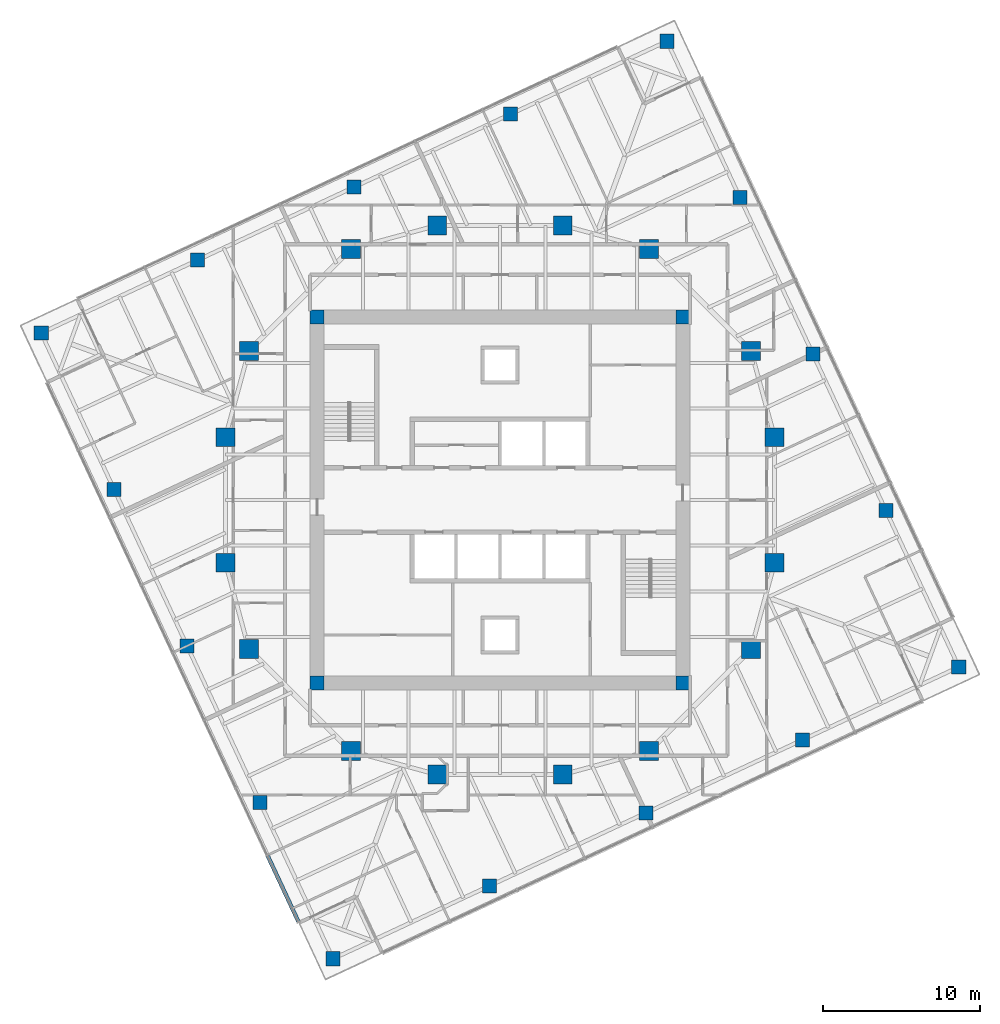
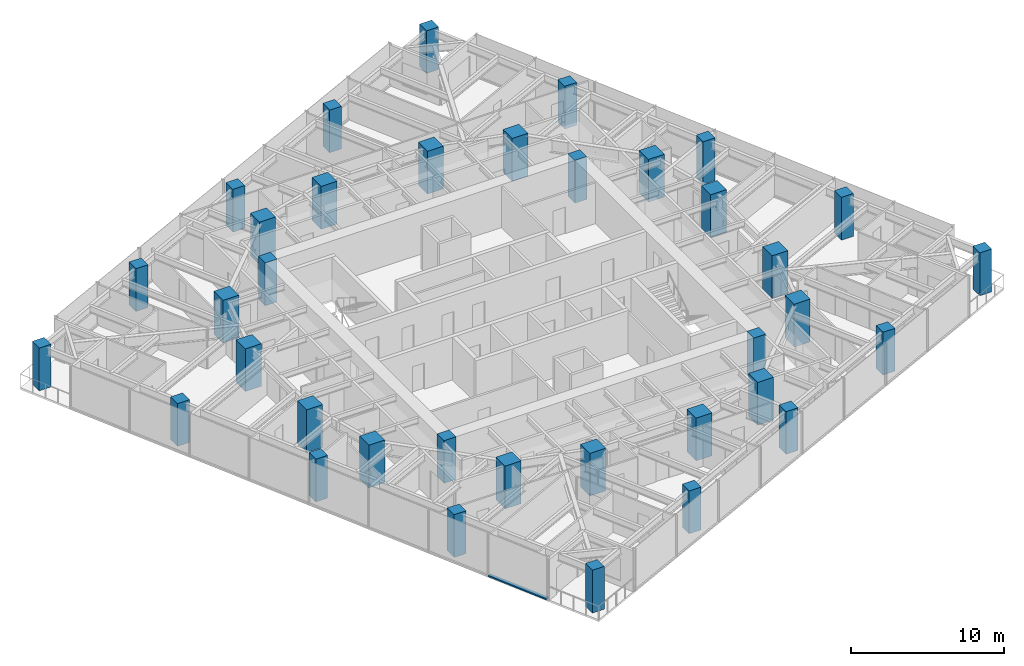
# One storey, part 1 of 13: 36 columns, 1 member, 1 element without a shape of its own.
"""IFC4 building model written with IfcOpenShell, lengths in metres."""

from ifc_helpers import new_model, si_unit, direction, frame, origin, origin_2d, place, context, subcontext, project, spatial, rectangle, extrude, material, material_profile, profile_set, type_object, element, aggregate, save


model = new_model("IFC4")

# Units and contexts
model_context = context("Model", 3, precision=1e-05, world=origin(), true_north=direction((0.0, 1.0)))
body_context = subcontext(model_context, "Body", "Model", "MODEL_VIEW")
ifc_project = project(units=[si_unit("LENGTHUNIT", "METRE"), si_unit("AREAUNIT", "SQUARE_METRE"), si_unit("VOLUMEUNIT", "CUBIC_METRE"), si_unit("PLANEANGLEUNIT", "RADIAN"), si_unit("MASSUNIT", "GRAM", prefix="KILO")], contexts=[model_context])

# Site, building, storey
site_placement = place(None, origin())
site = spatial("IfcSite", under=ifc_project, at=site_placement, CompositionType="ELEMENT")
building_placement = place(site_placement, origin())
building = spatial("IfcBuilding", under=site, at=building_placement, Name="Torsade Residences", CompositionType="ELEMENT")
storey_placement = place(building_placement, frame((0.0, 0.0, 182.800048828125)))
storey = spatial("IfcBuildingStorey", under=building, at=storey_placement, Name="L50", CompositionType="ELEMENT", Elevation=182.800048828125)

# Columns
ifc_material_1 = material(Name="Concrete 80 MPa", Category="concrete")
ifc_material_profile_1 = material_profile(ifc_material_1, rectangle(XDim=0.89990234375, YDim=0.89990234375, at=origin_2d()), Name="RC 900x900")
ifc_profile_set_1 = profile_set([ifc_material_profile_1], Name="Concrete 80 MPa")
column_type_1 = type_object("IfcColumnType", Name="CORE CORNER COLUMN RC 900x900", PredefinedType="COLUMN", material=ifc_profile_set_1)
for number, where, z_axis, x_axis, name in (
    (1, (28.35009765625, 18.35009765625, 0.0), (0.0, 0.0, 1.0), (1.0, 0.0, 0.0), "Core corner column CC1 L50"),
    (2, (51.64990234375, 18.35009765625, 0.0), (0.0, 0.0, 1.0), (1.0, 0.0, 0.0), "Core corner column CC2 L50"),
    (3, (51.64990234375, 41.64990234375, 0.0), (0.0, 0.0, 1.0), (1.0, 0.0, 0.0), "Core corner column CC3 L50"),
    (4, (28.35009765625, 41.64990234375, 0.0), (0.0, 0.0, 1.0), (1.0, 0.0, 0.0), "Core corner column CC4 L50"),
):
    element("IfcColumn", number, at=place(storey_placement, frame(where, z_axis=z_axis, x_axis=x_axis)), inside=storey, type_object=column_type_1, Name=name, PredefinedType="COLUMN", context=body_context, shape_type="SweptSolid", body=[
        extrude(rectangle(XDim=0.89990234375, YDim=0.89990234375, at=origin_2d()), origin(), (0.0, 0.0, 1.0), 3.39990234375),
    ])
ifc_material_2 = material(Name="Concrete 80 MPa", Category="concrete")
ifc_material_profile_2 = material_profile(ifc_material_2, rectangle(XDim=1.199951171875, YDim=1.199951171875, at=origin_2d()), Name="RC 1200x1200")
ifc_profile_set_2 = profile_set([ifc_material_profile_2], Name="Concrete 80 MPa")
column_type_2 = type_object("IfcColumnType", Name="INNER RING COLUMN RC 1200x1200", PredefinedType="COLUMN", material=ifc_profile_set_2)
for number, where, z_axis, x_axis, name in (
    (5, (57.5, 26.0, 0.0), (0.0, 0.0, 1.0), (1.0, 0.0, 0.0), "Inner ring column IR01 L50"),
    (6, (57.5, 34.0, 0.0), (0.0, 0.0, 1.0), (1.0, 0.0, 0.0), "Inner ring column IR02 L50"),
    (7, (56.0, 39.5, 0.0), (0.0, 0.0, 1.0), (1.0, 0.0, 0.0), "Inner ring column IR03 L50"),
    (8, (49.5, 46.0, 0.0), (0.0, 0.0, 1.0), (1.0, 0.0, 0.0), "Inner ring column IR04 L50"),
    (9, (44.0, 47.5, 0.0), (0.0, 0.0, 1.0), (1.0, 0.0, 0.0), "Inner ring column IR05 L50"),
    (10, (36.0, 47.5, 0.0), (0.0, 0.0, 1.0), (1.0, 0.0, 0.0), "Inner ring column IR06 L50"),
    (11, (30.5, 46.0, 0.0), (0.0, 0.0, 1.0), (1.0, 0.0, 0.0), "Inner ring column IR07 L50"),
    (12, (24.0, 39.5, 0.0), (0.0, 0.0, 1.0), (1.0, 0.0, 0.0), "Inner ring column IR08 L50"),
    (13, (22.5, 34.0, 0.0), (0.0, 0.0, 1.0), (1.0, 0.0, 0.0), "Inner ring column IR09 L50"),
    (14, (22.5, 26.0, 0.0), (0.0, 0.0, 1.0), (1.0, 0.0, 0.0), "Inner ring column IR10 L50"),
    (15, (24.0, 20.5, 0.0), (0.0, 0.0, 1.0), (1.0, 0.0, 0.0), "Inner ring column IR11 L50"),
    (16, (30.5, 14.0, 0.0), (0.0, 0.0, 1.0), (1.0, 0.0, 0.0), "Inner ring column IR12 L50"),
    (17, (36.0, 12.5, 0.0), (0.0, 0.0, 1.0), (1.0, 0.0, 0.0), "Inner ring column IR13 L50"),
    (18, (44.0, 12.5, 0.0), (0.0, 0.0, 1.0), (1.0, 0.0, 0.0), "Inner ring column IR14 L50"),
    (19, (49.5, 14.0, 0.0), (0.0, 0.0, 1.0), (1.0, 0.0, 0.0), "Inner ring column IR15 L50"),
    (20, (56.0, 20.5, 0.0), (0.0, 0.0, 1.0), (1.0, 0.0, 0.0), "Inner ring column IR16 L50"),
):
    element("IfcColumn", number, at=place(storey_placement, frame(where, z_axis=z_axis, x_axis=x_axis)), inside=storey, type_object=column_type_2, Name=name, PredefinedType="COLUMN", context=body_context, shape_type="SweptSolid", body=[
        extrude(rectangle(XDim=1.199951171875, YDim=1.199951171875, at=origin_2d()), origin(), (0.0, 0.0, 1.0), 3.39990234375),
    ])
ifc_material_3 = material(Name="Concrete 80 MPa", Category="concrete")
ifc_material_profile_3 = material_profile(ifc_material_3, rectangle(XDim=0.89990234375, YDim=0.89990234375, at=origin_2d()), Name="RC 900x900")
ifc_profile_set_3 = profile_set([ifc_material_profile_3], Name="Concrete 80 MPa")
column_type_3 = type_object("IfcColumnType", Name="TOWER COLUMN RC 900x900", PredefinedType="COLUMN", material=ifc_profile_set_3)
for number, where, z_axis, x_axis, name in (
    (21, (29.35888671875, 0.763671875, 0.0), (0.0, 0.0, 1.0), (1.0, 0.0, 0.0), "Column TC6-01 L50"),
    (22, (39.328125, 5.412353515625, 0.0), (0.0, 0.0, 1.0), (1.0, 0.0, 0.0), "Column TC6-02 L50"),
    (23, (49.297607421875, 10.061279296875, 0.0), (0.0, 0.0, 1.0), (1.0, 0.0, 0.0), "Column TC6-03 L50"),
    (24, (59.26708984375, 14.7099609375, 0.0), (0.0, 0.0, 1.0), (1.0, 0.0, 0.0), "Column TC6-04 L50"),
    (25, (69.236328125, 19.35888671875, 0.0), (0.0, 0.0, 1.0), (1.0, 0.0, 0.0), "Column TC6-05 L50"),
    (26, (64.587646484375, 29.328125, 0.0), (0.0, 0.0, 1.0), (1.0, 0.0, 0.0), "Column TC6-06 L50"),
    (27, (59.938720703125, 39.297607421875, 0.0), (0.0, 0.0, 1.0), (1.0, 0.0, 0.0), "Column TC6-07 L50"),
    (28, (55.2900390625, 49.26708984375, 0.0), (0.0, 0.0, 1.0), (1.0, 0.0, 0.0), "Column TC6-08 L50"),
    (29, (50.64111328125, 59.236328125, 0.0), (0.0, 0.0, 1.0), (1.0, 0.0, 0.0), "Column TC6-09 L50"),
    (30, (40.671875, 54.587646484375, 0.0), (0.0, 0.0, 1.0), (1.0, 0.0, 0.0), "Column TC6-10 L50"),
    (31, (30.702392578125, 49.938720703125, 0.0), (0.0, 0.0, 1.0), (1.0, 0.0, 0.0), "Column TC6-11 L50"),
    (32, (20.73291015625, 45.2900390625, 0.0), (0.0, 0.0, 1.0), (1.0, 0.0, 0.0), "Column TC6-12 L50"),
    (33, (10.763671875, 40.64111328125, 0.0), (0.0, 0.0, 1.0), (1.0, 0.0, 0.0), "Column TC6-13 L50"),
    (34, (15.412353515625, 30.671875, 0.0), (0.0, 0.0, 1.0), (1.0, 0.0, 0.0), "Column TC6-14 L50"),
    (35, (20.061279296875, 20.702392578125, 0.0), (0.0, 0.0, 1.0), (1.0, 0.0, 0.0), "Column TC6-15 L50"),
    (36, (24.7099609375, 10.73291015625, 0.0), (0.0, 0.0, 1.0), (1.0, 0.0, 0.0), "Column TC6-16 L50"),
):
    element("IfcColumn", number, at=place(storey_placement, frame(where, z_axis=z_axis, x_axis=x_axis)), inside=storey, type_object=column_type_3, Name=name, PredefinedType="COLUMN", context=body_context, shape_type="SweptSolid", body=[
        extrude(rectangle(XDim=0.89990234375, YDim=0.89990234375, at=origin_2d()), origin(), (0.0, 0.0, 1.0), 3.39990234375),
    ])

# Curtain wall, member
ifc_material_4 = material(Name="Aluminium and glass", Category="aluminium")
curtain_wall_type = type_object("IfcCurtainWallType", Name="FRITTED GLASS CURTAIN WALL MID ZONE", PredefinedType="NOTDEFINED", material=ifc_material_4)
curtain_wall_placement = place(storey_placement, origin())
curtain_wall = element("IfcCurtainWall", 37, at=curtain_wall_placement, inside=storey, type_object=curtain_wall_type, Name="Curtain wall L50 face 10", PredefinedType="NOTDEFINED")
ifc_material_5 = material(Name="Aluminium transom", Category="aluminium")
ifc_material_profile_4 = material_profile(ifc_material_5, rectangle(XDim=0.25, YDim=0.110107421875, at=origin_2d()), Name="MID ZONE CURTAIN WALL TRANSOM 250x110")
ifc_profile_set_4 = profile_set([ifc_material_profile_4], Name="Aluminium transom")
member_type = type_object("IfcMemberType", Name="MID ZONE CURTAIN WALL TRANSOM 250x110", PredefinedType="USERDEFINED", material=ifc_profile_set_4)
member_placement = place(storey_placement, frame((25.194091796875, 7.32861328125, 0.054931640625), z_axis=(0.422622764878, -0.906305687176, 0.0), x_axis=(0.906305687176, 0.422622764878, 0.0)))
member = element("IfcMember", 38, at=member_placement, type_object=member_type, Name="Transom 8.1", ObjectType="TRANSOM", PredefinedType="USERDEFINED", context=body_context, shape_type="SweptSolid", body=[
    extrude(rectangle(XDim=0.25, YDim=0.110107421875, at=origin_2d()), origin(), (0.0, 0.0, 1.0), 4.630126953125),
])
aggregate(curtain_wall, [member])

save(model, "model.ifc")
